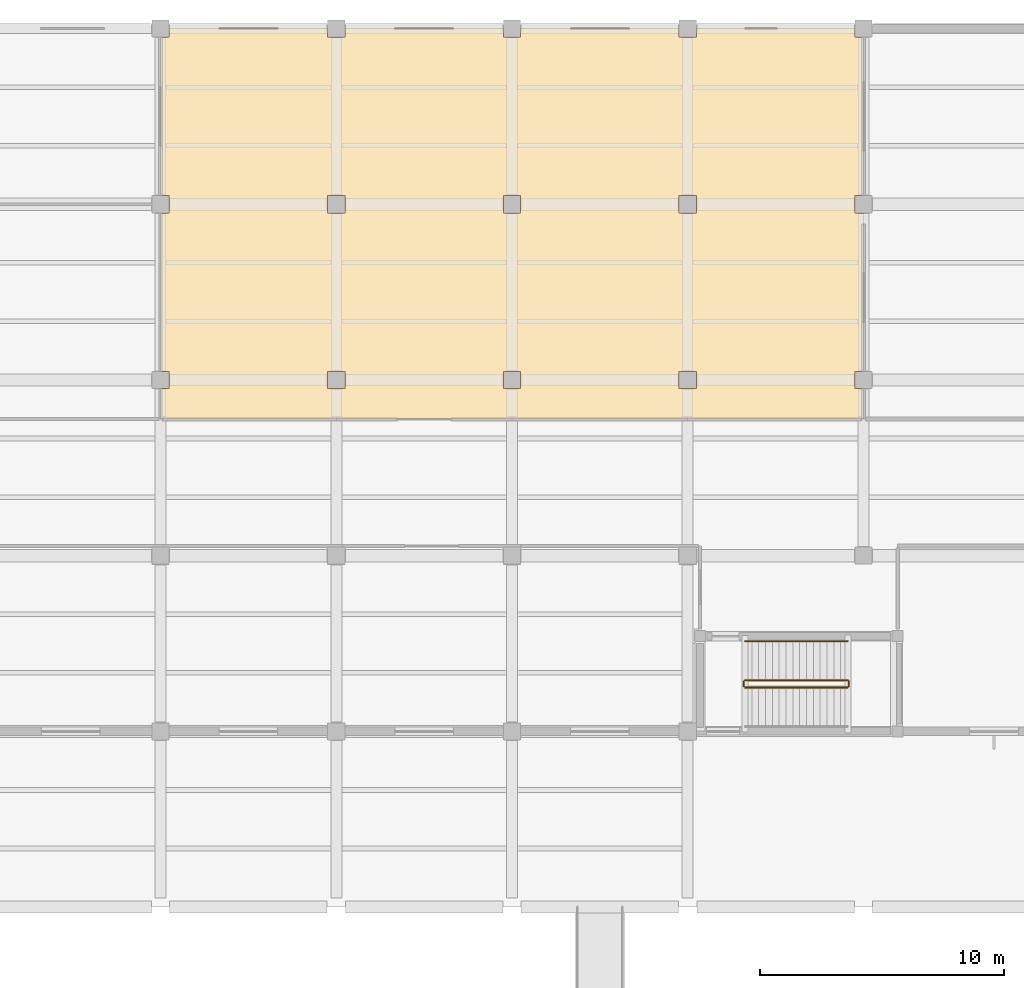
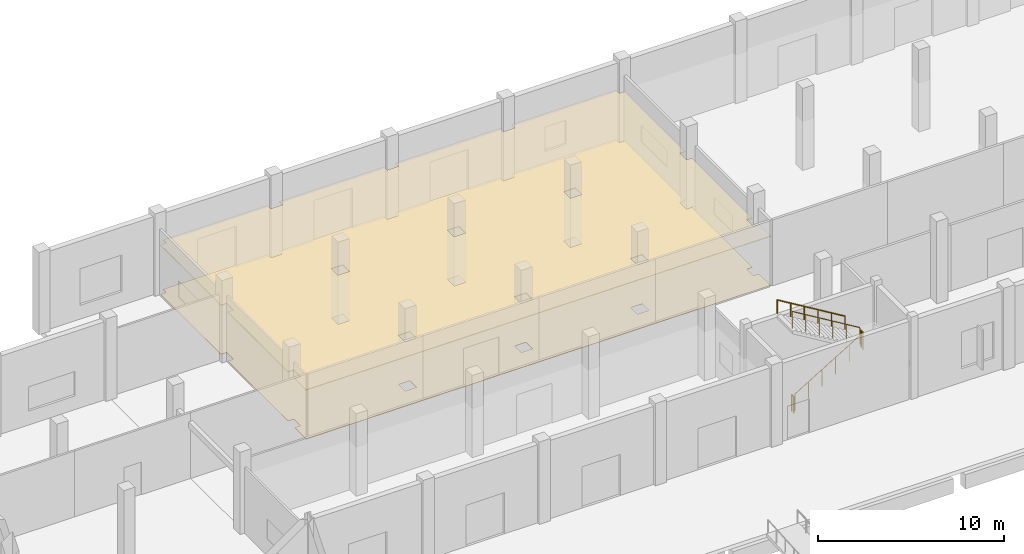
# One storey, part 45 of 46: 5 railings, 2 coverings.
"""IFC4 building model written with IfcOpenShell, lengths in metres."""

from ifc_helpers import new_model, si_unit, direction, frame, origin, origin_2d, place, context, subcontext, project, spatial, polyline, circle, outline, extrude, material, layer, layer_set, type_object, element, save


model = new_model("IFC4")

# Units and contexts
model_context = context("Model", 3, precision=1e-05, world=origin(), true_north=direction((0.0, 1.0)))
body_context = subcontext(model_context, "Body", "Model", "MODEL_VIEW")
ifc_project = project(units=[si_unit("LENGTHUNIT", "METRE"), si_unit("AREAUNIT", "SQUARE_METRE"), si_unit("VOLUMEUNIT", "CUBIC_METRE"), si_unit("PLANEANGLEUNIT", "RADIAN"), si_unit("MASSUNIT", "GRAM", prefix="KILO"), si_unit("THERMODYNAMICTEMPERATUREUNIT", "KELVIN"), si_unit("POWERUNIT", "WATT")], contexts=[model_context])

# Site, building, storey
site_placement = place(None, origin())
site = spatial("IfcSite", under=ifc_project, at=site_placement, CompositionType="ELEMENT")
building_placement = place(site_placement, origin())
building = spatial("IfcBuilding", under=site, at=building_placement, Name="Kaldorven Railside Theatre", CompositionType="ELEMENT")
storey_placement = place(building_placement, origin())
storey = spatial("IfcBuildingStorey", under=building, at=storey_placement, Name="L00", CompositionType="ELEMENT", Elevation=0.0)

# Coverings
ifc_material_1 = material(Name="Acoustic gypsum board")
ifc_layer_1 = layer(ifc_material_1, 0.0400390625, Name="Acoustic gypsum board")
ifc_layer_set_1 = layer_set([ifc_layer_1], Name="Acoustic gypsum board")
covering_type_1 = type_object("IfcCoveringType", Name="COV-CLG-01", PredefinedType="CEILING", material=ifc_layer_set_1)
covering_1_placement = place(storey_placement, frame((0.0, 0.0, 3.2099609375)))
element("IfcCovering", 1, at=covering_1_placement, inside=storey, type_object=covering_type_1, Name="Scenery Workshop Acoustic Ceiling 008", PredefinedType="CEILING", context=body_context, shape_type="SweptSolid", body=[
    extrude(outline(polyline([(159.199951171875, 125.60009765625), (130.39990234375, 125.60009765625), (130.39990234375, 126.847900390625), (130.751953125, 126.847900390625), (130.751953125, 127.552001953125), (130.39990234375, 127.552001953125), (130.39990234375, 134.048095703125), (130.751953125, 134.048095703125), (130.751953125, 134.751953125), (130.39990234375, 134.751953125), (130.39990234375, 141.248046875), (130.751953125, 141.248046875), (130.751953125, 141.60009765625), (137.248046875, 141.60009765625), (137.248046875, 141.248046875), (137.951904296875, 141.248046875), (137.951904296875, 141.60009765625), (144.447998046875, 141.60009765625), (144.447998046875, 141.248046875), (145.152099609375, 141.248046875), (145.152099609375, 141.60009765625), (151.64794921875, 141.60009765625), (151.64794921875, 141.248046875), (152.35205078125, 141.248046875), (152.35205078125, 141.60009765625), (158.847900390625, 141.60009765625), (158.847900390625, 141.248046875), (159.199951171875, 141.248046875), (159.199951171875, 134.751953125), (158.847900390625, 134.751953125), (158.847900390625, 134.048095703125), (159.199951171875, 134.048095703125), (159.199951171875, 127.552001953125), (158.847900390625, 127.552001953125), (158.847900390625, 126.847900390625), (159.199951171875, 126.847900390625), (159.199951171875, 125.60009765625)]), holes=[polyline([(152.35205078125, 127.552001953125), (151.64794921875, 127.552001953125), (151.64794921875, 126.847900390625), (152.35205078125, 126.847900390625), (152.35205078125, 127.552001953125)]), polyline([(145.152099609375, 127.552001953125), (144.447998046875, 127.552001953125), (144.447998046875, 126.847900390625), (145.152099609375, 126.847900390625), (145.152099609375, 127.552001953125)]), polyline([(137.951904296875, 127.552001953125), (137.248046875, 127.552001953125), (137.248046875, 126.847900390625), (137.951904296875, 126.847900390625), (137.951904296875, 127.552001953125)]), polyline([(145.152099609375, 134.751953125), (144.447998046875, 134.751953125), (144.447998046875, 134.048095703125), (145.152099609375, 134.048095703125), (145.152099609375, 134.751953125)]), polyline([(152.35205078125, 134.751953125), (151.64794921875, 134.751953125), (151.64794921875, 134.048095703125), (152.35205078125, 134.048095703125), (152.35205078125, 134.751953125)]), polyline([(137.951904296875, 134.751953125), (137.248046875, 134.751953125), (137.248046875, 134.048095703125), (137.951904296875, 134.048095703125), (137.951904296875, 134.751953125)])]), origin(), (0.0, 0.0, 1.0), 0.0400390625),
])
ifc_material_2 = material(Name="Terrazzo stone finish", Category="masonry")
ifc_layer_2 = layer(ifc_material_2, 0.02001953125, Name="Terrazzo stone finish")
ifc_layer_set_2 = layer_set([ifc_layer_2], Name="Terrazzo stone finish")
covering_type_2 = type_object("IfcCoveringType", Name="COV-FLR-02", PredefinedType="FLOORING", material=ifc_layer_set_2)
covering_2_placement = place(storey_placement, origin())
element("IfcCovering", 2, at=covering_2_placement, inside=storey, type_object=covering_type_2, Name="Scenery Workshop Finish Flooring FLR-004", PredefinedType="FLOORING", context=body_context, shape_type="SweptSolid", body=[
    extrude(outline(polyline([(159.199951171875, 125.60009765625), (130.39990234375, 125.60009765625), (130.39990234375, 126.847900390625), (130.751953125, 126.847900390625), (130.751953125, 127.552001953125), (130.39990234375, 127.552001953125), (130.39990234375, 134.048095703125), (130.751953125, 134.048095703125), (130.751953125, 134.751953125), (130.39990234375, 134.751953125), (130.39990234375, 141.248046875), (130.751953125, 141.248046875), (130.751953125, 141.60009765625), (137.248046875, 141.60009765625), (137.248046875, 141.248046875), (137.951904296875, 141.248046875), (137.951904296875, 141.60009765625), (144.447998046875, 141.60009765625), (144.447998046875, 141.248046875), (145.152099609375, 141.248046875), (145.152099609375, 141.60009765625), (151.64794921875, 141.60009765625), (151.64794921875, 141.248046875), (152.35205078125, 141.248046875), (152.35205078125, 141.60009765625), (158.847900390625, 141.60009765625), (158.847900390625, 141.248046875), (159.199951171875, 141.248046875), (159.199951171875, 134.751953125), (158.847900390625, 134.751953125), (158.847900390625, 134.048095703125), (159.199951171875, 134.048095703125), (159.199951171875, 127.552001953125), (158.847900390625, 127.552001953125), (158.847900390625, 126.847900390625), (159.199951171875, 126.847900390625), (159.199951171875, 125.60009765625)]), holes=[polyline([(152.35205078125, 127.552001953125), (151.64794921875, 127.552001953125), (151.64794921875, 126.847900390625), (152.35205078125, 126.847900390625), (152.35205078125, 127.552001953125)]), polyline([(145.152099609375, 127.552001953125), (144.447998046875, 127.552001953125), (144.447998046875, 126.847900390625), (145.152099609375, 126.847900390625), (145.152099609375, 127.552001953125)]), polyline([(137.951904296875, 127.552001953125), (137.248046875, 127.552001953125), (137.248046875, 126.847900390625), (137.951904296875, 126.847900390625), (137.951904296875, 127.552001953125)]), polyline([(145.152099609375, 134.751953125), (144.447998046875, 134.751953125), (144.447998046875, 134.048095703125), (145.152099609375, 134.048095703125), (145.152099609375, 134.751953125)]), polyline([(152.35205078125, 134.751953125), (151.64794921875, 134.751953125), (151.64794921875, 134.048095703125), (152.35205078125, 134.048095703125), (152.35205078125, 134.751953125)]), polyline([(137.951904296875, 134.751953125), (137.248046875, 134.751953125), (137.248046875, 134.048095703125), (137.951904296875, 134.048095703125), (137.951904296875, 134.751953125)])]), origin(), (0.0, 0.0, 1.0), 0.02001953125),
])

# Railings
ifc_material_3 = material(Name="Steel S355", Category="steel")
railing_type_1 = type_object("IfcRailingType", Name="RLG-STG-1100", PredefinedType="BALUSTRADE", material=ifc_material_3)
railing_1_placement = place(storey_placement, frame((154.35009765625, 114.60009765625, 0.168701171875)))
element("IfcRailing", 3, at=railing_1_placement, inside=storey, type_object=railing_type_1, Name="L00 ST-08 stair guard 1", PredefinedType="BALUSTRADE", context=body_context, shape_type="SweptSolid", body=[
    extrude(circle(Radius=0.02392578125, at=origin_2d()), frame((0.0, 0.0, 1.09619140625), z_axis=(0.856476492594, 0.0, 0.516186030065), x_axis=(0.0, 1.0, 0.0)), (0.0, 0.0, 1.0), 4.90380859375),
    extrude(circle(Radius=0.02099609375, at=origin_2d()), origin(), (0.0, 0.0, 1.0), 1.072021484375),
    extrude(circle(Radius=0.02099609375, at=origin_2d()), frame((0.840087890625, 0.0, 0.50634765625)), (0.0, 0.0, 1.0), 1.072021484375),
    extrude(circle(Radius=0.02099609375, at=origin_2d()), frame((1.679931640625, 0.0, 1.012451171875)), (0.0, 0.0, 1.0), 1.072021484375),
    extrude(circle(Radius=0.02099609375, at=origin_2d()), frame((2.52001953125, 0.0, 1.518798828125)), (0.0, 0.0, 1.0), 1.072021484375),
    extrude(circle(Radius=0.02099609375, at=origin_2d()), frame((3.35986328125, 0.0, 2.02490234375)), (0.0, 0.0, 1.0), 1.072021484375),
    extrude(circle(Radius=0.02099609375, at=origin_2d()), frame((4.199951171875, 0.0, 2.53125)), (0.0, 0.0, 1.0), 1.072021484375),
])
railing_2_placement = place(storey_placement, frame((158.60009765625, 114.64990234375, 2.699951171875)))
element("IfcRailing", 4, at=railing_2_placement, inside=storey, type_object=railing_type_1, Name="L00 ST-08 stair guard 2", PredefinedType="BALUSTRADE", context=body_context, shape_type="SweptSolid", body=[
    extrude(circle(Radius=0.02392578125, at=origin_2d()), frame((0.0, 0.0, 1.09619140625), z_axis=(0.0, 1.0, 0.0), x_axis=(-1.0, 0.0, 0.0)), (0.0, 0.0, 1.0), 0.2001953125),
    extrude(circle(Radius=0.02099609375, at=origin_2d()), origin(), (0.0, 0.0, 1.0), 1.072021484375),
    extrude(circle(Radius=0.02099609375, at=origin_2d()), frame((0.0, 0.2001953125, 0.0)), (0.0, 0.0, 1.0), 1.072021484375),
])
railing_3_placement = place(storey_placement, frame((158.550048828125, 114.89990234375, 2.86865234375)))
element("IfcRailing", 5, at=railing_3_placement, inside=storey, type_object=railing_type_1, Name="L00 ST-08 stair guard 3", PredefinedType="BALUSTRADE", context=body_context, shape_type="SweptSolid", body=[
    extrude(circle(Radius=0.02392578125, at=origin_2d()), frame((0.0, 0.0, 1.09619140625), z_axis=(-0.856476492594, 0.0, 0.516186030065), x_axis=(0.0, -1.0, 0.0)), (0.0, 0.0, 1.0), 4.90380859375),
    extrude(circle(Radius=0.02099609375, at=origin_2d()), origin(), (0.0, 0.0, 1.0), 1.072021484375),
    extrude(circle(Radius=0.02099609375, at=origin_2d()), frame((-0.840087890625, 0.0, 0.50634765625)), (0.0, 0.0, 1.0), 1.072021484375),
    extrude(circle(Radius=0.02099609375, at=origin_2d()), frame((-1.679931640625, 0.0, 1.012451171875)), (0.0, 0.0, 1.0), 1.072021484375),
    extrude(circle(Radius=0.02099609375, at=origin_2d()), frame((-2.52001953125, 0.0, 1.518798828125)), (0.0, 0.0, 1.0), 1.072021484375),
    extrude(circle(Radius=0.02099609375, at=origin_2d()), frame((-3.35986328125, 0.0, 2.02490234375)), (0.0, 0.0, 1.0), 1.072021484375),
    extrude(circle(Radius=0.02099609375, at=origin_2d()), frame((-4.199951171875, 0.0, 2.53125)), (0.0, 0.0, 1.0), 1.072021484375),
])
railing_4_placement = place(storey_placement, frame((154.300048828125, 114.64990234375, 0.0)))
element("IfcRailing", 6, at=railing_4_placement, inside=storey, type_object=railing_type_1, Name="L00 ST-08 stair guard 4", PredefinedType="BALUSTRADE", context=body_context, shape_type="SweptSolid", body=[
    extrude(circle(Radius=0.02392578125, at=origin_2d()), frame((0.0, 0.0, 1.09619140625), z_axis=(0.0, 1.0, 0.0), x_axis=(-1.0, 0.0, 0.0)), (0.0, 0.0, 1.0), 0.2001953125),
    extrude(circle(Radius=0.02099609375, at=origin_2d()), origin(), (0.0, 0.0, 1.0), 1.072021484375),
    extrude(circle(Radius=0.02099609375, at=origin_2d()), frame((0.0, 0.2001953125, 0.0)), (0.0, 0.0, 1.0), 1.072021484375),
])
railing_type_2 = type_object("IfcRailingType", Name="RLG-STH-900", PredefinedType="HANDRAIL", material=ifc_material_3)
railing_5_placement = place(storey_placement, frame((158.550048828125, 116.5, 2.86865234375)))
element("IfcRailing", 7, at=railing_5_placement, inside=storey, type_object=railing_type_2, Name="L00 ST-08 stair handrail 2", PredefinedType="HANDRAIL", context=body_context, shape_type="SweptSolid", body=[
    extrude(circle(Radius=0.02392578125, at=origin_2d()), frame((0.0, 0.0, 0.8759765625), z_axis=(-0.856476492594, 0.0, 0.516186030065), x_axis=(0.0, -1.0, 0.0)), (0.0, 0.0, 1.0), 4.90380859375),
    extrude(circle(Radius=0.02099609375, at=origin_2d()), origin(), (0.0, 0.0, 1.0), 0.851806640625),
    extrude(circle(Radius=0.02099609375, at=origin_2d()), frame((-0.840087890625, 0.0, 0.50634765625)), (0.0, 0.0, 1.0), 0.851806640625),
    extrude(circle(Radius=0.02099609375, at=origin_2d()), frame((-1.679931640625, 0.0, 1.012451171875)), (0.0, 0.0, 1.0), 0.851806640625),
    extrude(circle(Radius=0.02099609375, at=origin_2d()), frame((-2.52001953125, 0.0, 1.518798828125)), (0.0, 0.0, 1.0), 0.851806640625),
    extrude(circle(Radius=0.02099609375, at=origin_2d()), frame((-3.35986328125, 0.0, 2.02490234375)), (0.0, 0.0, 1.0), 0.851806640625),
    extrude(circle(Radius=0.02099609375, at=origin_2d()), frame((-4.199951171875, 0.0, 2.53125)), (0.0, 0.0, 1.0), 0.851806640625),
])

save(model, "model.ifc")
